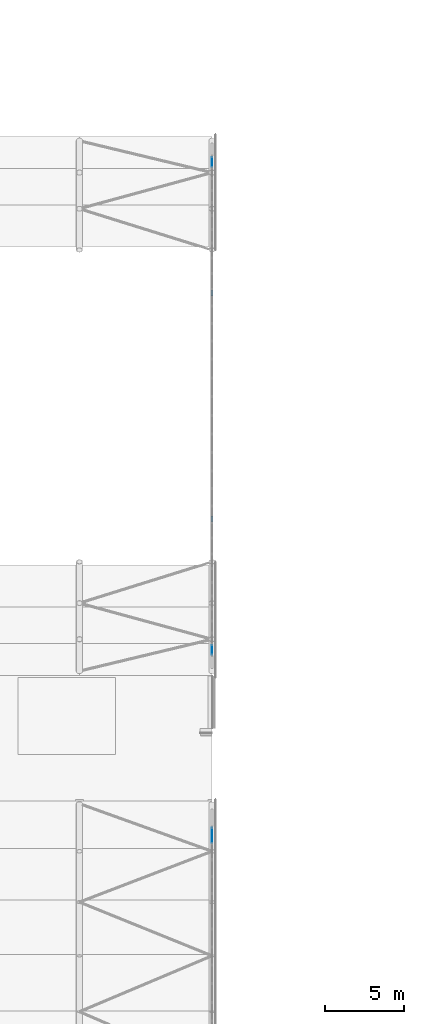
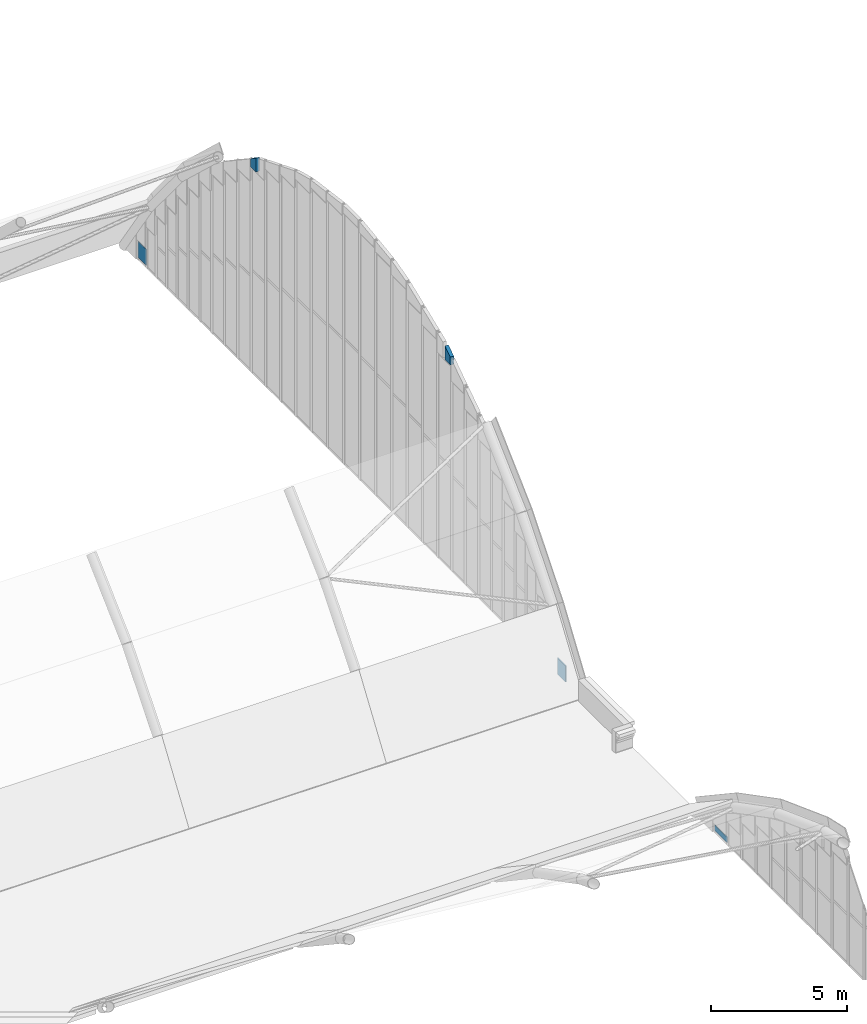
# One storey, part 64 of 77: 5 plates, 2 elements without a shape of their own.
"""IFC4 building model written with IfcOpenShell, lengths in metres."""

import ifcopenshell
import ifcopenshell.guid

model = None  # the IFC model being written
_history = None  # IfcOwnerHistory: only IFC2X3 demands one
_inside = {}  # id of a spatial element -> (the spatial element, [elements in it])
_under = {}  # id of a project, library or spatial element -> (it, [spatial elements below it])
_declared = {}  # id of a project -> (the project, [libraries it declares])
_typed = {}  # id of a type object -> (the type object, [elements of that type])
_made_of = {}  # id of a material, layer set ... -> (it, [elements and type objects made of it])


def new_model(schema):
    """Start an empty IFC model of exactly this schema.

    Asked for "IFC4X3", IfcOpenShell would pick the latest addendum, in which some entities
    have other attributes; the version numbers below select the first issue.
    IFC2X3 requires an IfcOwnerHistory on every rooted entity: one is made here for all.
    """
    global model, _history
    if schema == "IFC4X3":
        model = ifcopenshell.file(schema_version=(4, 3, 0, 0))
    else:
        model = ifcopenshell.file(schema=schema)
    _inside.clear()
    _under.clear()
    _declared.clear()
    _typed.clear()
    _made_of.clear()
    _history = None
    if model.schema == "IFC2X3":
        org = make("IfcOrganization", Name="unknown")
        user = make(
            "IfcPersonAndOrganization",
            ThePerson=make("IfcPerson", FamilyName="unknown"),
            TheOrganization=org,
        )
        app = make(
            "IfcApplication",
            ApplicationDeveloper=org,
            Version="unknown",
            ApplicationFullName="unknown",
            ApplicationIdentifier="unknown",
        )
        _history = make(
            "IfcOwnerHistory",
            OwningUser=user,
            OwningApplication=app,
            ChangeAction="ADDED",
            CreationDate=0,
        )
    return model


def make(cls, **values):
    """One entity of the class cls with the attributes given. An attribute that is None is left unset."""
    return model.create_entity(
        cls, **{name: value for name, value in values.items() if value is not None}
    )


def rooted(cls, **values):
    """An entity with a GlobalId (a new one), such as an element, a storey or a relation."""
    return make(cls, GlobalId=ifcopenshell.guid.new(), OwnerHistory=_history, **values)


def si_unit(unit_type, name, prefix=None):
    """IfcSIUnit, for example si_unit("LENGTHUNIT", "METRE", prefix="MILLI")."""
    return make("IfcSIUnit", UnitType=unit_type, Prefix=prefix, Name=name)


def assignment(units):
    """IfcUnitAssignment: the units of a project."""
    return None if units is None else make("IfcUnitAssignment", Units=units)


def point(xyz):
    """IfcCartesianPoint."""
    return None if xyz is None else make("IfcCartesianPoint", Coordinates=xyz)


def direction(xyz):
    """IfcDirection."""
    return None if xyz is None else make("IfcDirection", DirectionRatios=xyz)


def frame(location, z_axis=None, x_axis=None):
    """IfcAxis2Placement3D, a coordinate frame: its origin and axes. An axis left out is left unset."""
    return make(
        "IfcAxis2Placement3D",
        Location=point(location),
        Axis=direction(z_axis),
        RefDirection=direction(x_axis),
    )


def frame_2d(location, x_axis=None):
    """IfcAxis2Placement2D, a coordinate frame in the plane: its origin and x axis."""
    return make(
        "IfcAxis2Placement2D", Location=point(location), RefDirection=direction(x_axis)
    )


def origin():
    """The frame at (0, 0, 0) with its axes left unset."""
    return frame((0.0, 0.0, 0.0))


def origin_2d():
    """The frame at (0, 0) in the plane with its x axis left unset."""
    return frame_2d((0.0, 0.0))


def place(relative_to, where):
    """IfcLocalPlacement: puts the frame where relative to a parent placement (None: the world)."""
    return make(
        "IfcLocalPlacement", PlacementRelTo=relative_to, RelativePlacement=where
    )


def context(
    kind, dimensions, precision=None, world=None, true_north=None, identifier=None
):
    """IfcGeometricRepresentationContext, for example the 3D "Model" context."""
    return make(
        "IfcGeometricRepresentationContext",
        ContextIdentifier=identifier,
        ContextType=kind,
        CoordinateSpaceDimension=dimensions,
        Precision=precision,
        WorldCoordinateSystem=world,
        TrueNorth=true_north,
    )


def subcontext(parent, identifier, kind, view, scale=None):
    """IfcGeometricRepresentationSubContext, for example "Body" below "Model"."""
    return make(
        "IfcGeometricRepresentationSubContext",
        ContextIdentifier=identifier,
        ContextType=kind,
        ParentContext=parent,
        TargetScale=scale,
        TargetView=view,
    )


def project(units=None, contexts=None):
    """IfcProject with its units and contexts."""
    return rooted(
        "IfcProject",
        Name="project",
        RepresentationContexts=contexts,
        UnitsInContext=assignment(units),
    )


def spatial(cls, under=None, at=None, **own):
    """A site, building, storey or space (cls), placed at a placement, below another one or the project."""
    s = rooted(cls, ObjectPlacement=at, **own)
    if under is not None:
        _under.setdefault(under.id(), (under, []))[1].append(s)
    return s


def polyline(points):
    """IfcPolyline through the points."""
    return make("IfcPolyline", Points=[point(p) for p in points])


def profile(cls, at=None, kind="AREA", **sizes):
    """A parametric profile (cls). Its sizes go by their IFC names, for example OverallWidth=200.0."""
    return make(cls, ProfileType=kind, Position=at, **sizes)


def rectangle(**sizes):
    """IfcRectangleProfileDef."""
    return profile("IfcRectangleProfileDef", **sizes)


def outline(outer, holes=None, kind="AREA"):
    """IfcArbitraryClosedProfileDef: a profile drawn as a closed curve; with holes, ...WithVoids."""
    if holes is None:
        return make("IfcArbitraryClosedProfileDef", ProfileType=kind, OuterCurve=outer)
    return make(
        "IfcArbitraryProfileDefWithVoids",
        ProfileType=kind,
        OuterCurve=outer,
        InnerCurves=holes,
    )


def extrude(swept, where, along, depth):
    """IfcExtrudedAreaSolid: the profile swept, set in the frame where, extruded along a direction by depth."""
    return make(
        "IfcExtrudedAreaSolid",
        SweptArea=swept,
        Position=where,
        ExtrudedDirection=direction(along),
        Depth=depth,
    )


def shape(context_of_items, identifier, shape_type, items):
    """IfcShapeRepresentation: the items that make up one representation, for example the "Body"."""
    return make(
        "IfcShapeRepresentation",
        ContextOfItems=context_of_items,
        RepresentationIdentifier=identifier,
        RepresentationType=shape_type,
        Items=items,
    )


def material(Name=None, Category=None):
    """IfcMaterial."""
    return make("IfcMaterial", Name=Name, Category=Category)


def layer(
    of_material, thickness, ventilated=None, Name=None, Category=None, Priority=None
):
    """IfcMaterialLayer: one layer of a wall or slab, of a material (None: an air gap)."""
    return make(
        "IfcMaterialLayer",
        Material=of_material,
        LayerThickness=thickness,
        IsVentilated=ventilated,
        Name=Name,
        Category=Category,
        Priority=Priority,
    )


def layer_set(layers, Name=None):
    """IfcMaterialLayerSet."""
    return make("IfcMaterialLayerSet", MaterialLayers=layers, LayerSetName=Name)


def made_of(thing, what):
    """Note that an element or type object is made of a material, layer set ...; save() writes the relation."""
    if what is not None:
        _made_of.setdefault(what.id(), (what, []))[1].append(thing)
    return thing


def type_object(cls, material=None, **own):
    """A type object (cls), such as IfcWallType, which elements share."""
    return made_of(rooted(cls, **own), material)


def element(
    cls,
    number,
    at=None,
    inside=None,
    cuts=None,
    type_object=None,
    material=None,
    context=None,
    identifier="Body",
    shape_type=None,
    held_by="IfcProductDefinitionShape",
    body=None,
    shapes=None,
    **own,
):
    """One element of the class cls, such as IfcWall. Its Tag is "e" and its number.

    at: its placement. inside: the storey or other place that contains it. cuts: it is an
    opening in that element (IfcRelVoidsElement). A single representation is given by context,
    identifier, shape_type and body (its items); several are given by shapes. held_by: the class
    of the entity that holds the representations. save() writes the other relations.
    """
    e = rooted(cls, Tag="e%d" % number, ObjectPlacement=at, **own)
    if body is not None:
        shapes = [shape(context, identifier, shape_type, body)]
    if shapes is not None:
        e.Representation = make(held_by, Representations=shapes)
    if inside is not None:
        _inside.setdefault(inside.id(), (inside, []))[1].append(e)
    if cuts is not None:
        rooted(
            "IfcRelVoidsElement", RelatingBuildingElement=cuts, RelatedOpeningElement=e
        )
    if type_object is not None:
        _typed.setdefault(type_object.id(), (type_object, []))[1].append(e)
    return made_of(e, material)


def aggregate(whole, parts):
    """IfcRelAggregates: a whole, such as a stair, and the parts it consists of."""
    return rooted("IfcRelAggregates", RelatingObject=whole, RelatedObjects=parts)


def save(model, path):
    """Write the relations noted so far, then the file.

    IfcRelAggregates (storeys below a building ...), IfcRelContainedInSpatialStructure (elements
    in a storey), IfcRelDefinesByType, IfcRelAssociatesMaterial and IfcRelDeclares: one each for
    every whole, place, type object, material and project.
    """
    for whole, parts in _under.values():
        aggregate(whole, parts)
    for where, things in _inside.values():
        rooted(
            "IfcRelContainedInSpatialStructure",
            RelatedElements=things,
            RelatingStructure=where,
        )
    for kind, things in _typed.values():
        rooted("IfcRelDefinesByType", RelatedObjects=things, RelatingType=kind)
    for what, things in _made_of.values():
        rooted("IfcRelAssociatesMaterial", RelatedObjects=things, RelatingMaterial=what)
    for by, libraries in _declared.values():
        rooted("IfcRelDeclares", RelatingContext=by, RelatedDefinitions=libraries)
    model.write(path)


model = new_model("IFC4")

# Units and contexts
model_context = context("Model", 3, precision=1e-05, world=origin(), true_north=direction((0.0, 1.0)))
body_context = subcontext(model_context, "Body", "Model", "MODEL_VIEW")
ifc_project = project(units=[si_unit("LENGTHUNIT", "METRE"), si_unit("AREAUNIT", "SQUARE_METRE"), si_unit("VOLUMEUNIT", "CUBIC_METRE"), si_unit("PLANEANGLEUNIT", "RADIAN"), si_unit("MASSUNIT", "GRAM", prefix="KILO")], contexts=[model_context])

# Site, building, storey
site_placement = place(None, origin())
site = spatial("IfcSite", under=ifc_project, at=site_placement, CompositionType="ELEMENT")
building_placement = place(site_placement, origin())
building = spatial("IfcBuilding", under=site, at=building_placement, Name="Catenary Quay Ferry Terminal", CompositionType="ELEMENT")
storey_placement = place(building_placement, frame((0.0, 0.0, 10.800048828125)))
storey = spatial("IfcBuildingStorey", under=building, at=storey_placement, Name="L02", CompositionType="ELEMENT", Elevation=10.800048828125)

# Curtain wall, plate
ifc_material_1 = material(Name="Aluminium and glass", Category="aluminium")
curtain_wall_type = type_object("IfcCurtainWallType", Name="CWA", PredefinedType="NOTDEFINED", material=ifc_material_1)
curtain_wall_1_placement = place(storey_placement, origin())
curtain_wall_1 = element("IfcCurtainWall", 1, at=curtain_wall_1_placement, inside=storey, type_object=curtain_wall_type, Name="Arch arrivals hall curtain wall CW12", PredefinedType="NOTDEFINED")
ifc_material_2 = material(Name="Glass", Category="glass")
ifc_layer_1 = layer(ifc_material_2, 0.035888671875)
ifc_layer_set_1 = layer_set([ifc_layer_1], Name="PN4")
plate_type_1 = type_object("IfcPlateType", Name="PN4", PredefinedType="CURTAIN_PANEL", material=ifc_layer_set_1)
plate_1_placement = place(storey_placement, frame((92.39990234375, 98.7880859375, 0.099853515625), z_axis=(0.0, 0.0, 1.0), x_axis=(0.0, 1.0, 0.0)))
plate_1 = element("IfcPlate", 2, at=plate_1_placement, type_object=plate_type_1, Name="CW12 panel 27.1", PredefinedType="CURTAIN_PANEL", context=body_context, shape_type="SweptSolid", body=[
    extrude(rectangle(XDim=0.946044921875, YDim=0.035888671875, at=origin_2d()), origin(), (0.0, 0.0, 1.0), 0.24658203125),
])
aggregate(curtain_wall_1, [plate_1])

# Curtain wall, plates
curtain_wall_2_placement = place(storey_placement, origin())
curtain_wall_2 = element("IfcCurtainWall", 3, at=curtain_wall_2_placement, inside=storey, type_object=curtain_wall_type, Name="Arch departure hall curtain wall CW21", PredefinedType="NOTDEFINED")
plate_2_placement = place(storey_placement, frame((92.39990234375, 110.543212890625, 0.099853515625), z_axis=(0.0, 0.0, 1.0), x_axis=(0.0, 1.0, 0.0)))
plate_2 = element("IfcPlate", 4, at=plate_2_placement, type_object=plate_type_1, Name="CW21 panel 1.1", PredefinedType="CURTAIN_PANEL", context=body_context, shape_type="SweptSolid", body=[
    extrude(rectangle(XDim=0.611572265625, YDim=0.035888671875, at=origin_2d()), origin(), (0.0, 0.0, 1.0), 0.7255859375),
])
plate_3_placement = place(storey_placement, frame((92.39990234375, 141.456787109375, 0.099853515625), z_axis=(0.0, 0.0, 1.0), x_axis=(0.0, 1.0, 0.0)))
plate_3 = element("IfcPlate", 5, at=plate_3_placement, type_object=plate_type_1, Name="CW21 panel 33.1", PredefinedType="CURTAIN_PANEL", context=body_context, shape_type="SweptSolid", body=[
    extrude(rectangle(XDim=0.611572265625, YDim=0.035888671875, at=origin_2d()), origin(), (0.0, 0.0, 1.0), 0.7255859375),
])
ifc_material_3 = material(Name="Ceramic tile facing on insulated backing")
ifc_layer_2 = layer(ifc_material_3, 0.14990234375)
ifc_layer_set_2 = layer_set([ifc_layer_2], Name="PN7")
plate_type_2 = type_object("IfcPlateType", Name="PN7", PredefinedType="CURTAIN_PANEL", material=ifc_layer_set_2)
plate_4_placement = place(storey_placement, frame((92.39990234375, 118.642578125, 9.294189453125), z_axis=(0.0, 0.0, 1.0), x_axis=(0.0, 1.0, 0.0)))
plate_4 = element("IfcPlate", 6, at=plate_4_placement, type_object=plate_type_2, Name="CW21 spandrel panel 12", PredefinedType="CURTAIN_PANEL", context=body_context, shape_type="SweptSolid", body=[
    extrude(outline(polyline([(0.0, 0.0), (0.392333984375, 0.0), (0.392333984375, 0.62255859375), (0.0, 0.360107421875), (0.0, 0.0)])), frame((0.0, 0.074951171875, 0.0), z_axis=(0.0, -1.0, 0.0), x_axis=(1.0, 0.0, 0.0)), (0.0, 0.0, 1.0), 0.14990234375),
])
plate_5_placement = place(storey_placement, frame((92.39990234375, 132.965087890625, 9.294189453125), z_axis=(0.0, 0.0, 1.0), x_axis=(0.0, 1.0, 0.0)))
plate_5 = element("IfcPlate", 7, at=plate_5_placement, type_object=plate_type_2, Name="CW21 spandrel panel 26", PredefinedType="CURTAIN_PANEL", context=body_context, shape_type="SweptSolid", body=[
    extrude(outline(polyline([(0.0, 0.0), (0.392333984375, 0.0), (0.392333984375, 0.360107421875), (0.0, 0.62255859375), (0.0, 0.0)])), frame((0.0, 0.074951171875, 0.0), z_axis=(0.0, -1.0, 0.0), x_axis=(1.0, 0.0, 0.0)), (0.0, 0.0, 1.0), 0.14990234375),
])
aggregate(curtain_wall_2, [plate_2, plate_4, plate_5, plate_3])

save(model, "model.ifc")
